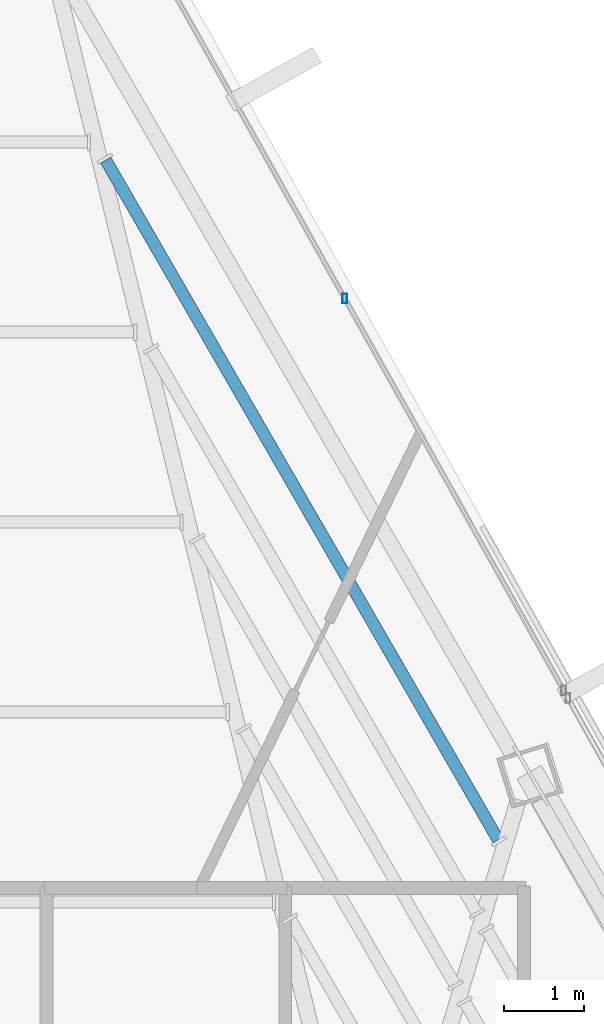
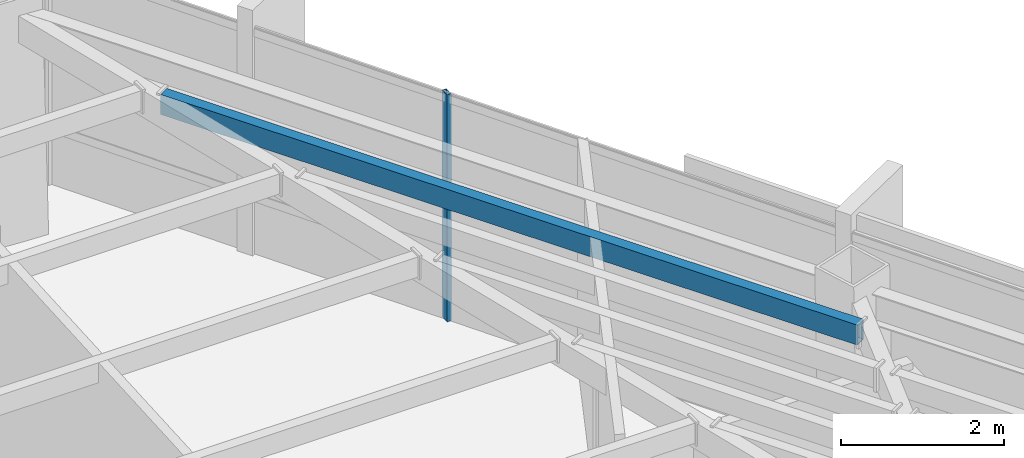
# One storey, part 37 of 48: 1 beam, 1 member, 1 element without a shape of its own.
"""IFC4 building model written with IfcOpenShell, lengths in metres."""

from ifc_helpers import new_model, si_unit, direction, frame, origin, origin_2d, place, context, subcontext, project, spatial, hollow_rectangle, extrude, source, transform, mapped, material, material_profile, profile_set, type_object, type_shapes, element, aggregate, save


model = new_model("IFC4")

# Units and contexts
model_context = context("Model", 3, precision=1e-05, world=origin(), true_north=direction((0.0, 1.0)))
body_context = subcontext(model_context, "Body", "Model", "MODEL_VIEW")
ifc_project = project(units=[si_unit("LENGTHUNIT", "METRE"), si_unit("AREAUNIT", "SQUARE_METRE"), si_unit("VOLUMEUNIT", "CUBIC_METRE"), si_unit("PLANEANGLEUNIT", "RADIAN"), si_unit("MASSUNIT", "GRAM", prefix="KILO")], contexts=[model_context])

# Site, building, storey
site_placement = place(None, origin())
site = spatial("IfcSite", under=ifc_project, at=site_placement, CompositionType="ELEMENT")
building_placement = place(site_placement, origin())
building = spatial("IfcBuilding", under=site, at=building_placement, Name="Caelisora Broadcast Tower", CompositionType="ELEMENT")
storey_placement = place(building_placement, frame((0.0, 0.0, 270.0)))
storey = spatial("IfcBuildingStorey", under=building, at=storey_placement, Name="L71", CompositionType="ELEMENT", Elevation=270.0)

# Beam
ifc_material_1 = material(Name="Steel Grade 350 (AS/NZS 1163 C350L0)", Category="steel")
ifc_material_profile_1 = material_profile(ifc_material_1, hollow_rectangle(XDim=0.14990234375, YDim=0.300048828125, WallThickness=0.010009765625, at=origin_2d()), Name="Steel Grade 350 (AS/NZS 1163 C350L0)")
ifc_profile_set_1 = profile_set([ifc_material_profile_1], Name="Steel Grade 350 (AS/NZS 1163 C350L0)")
beam_type = type_object("IfcBeamType", Name="SB05", PredefinedType="JOIST", material=ifc_profile_set_1)
shared_shape_1 = source(origin(), body_context, "Body", "SweptSolid", [
    extrude(hollow_rectangle(XDim=0.14990234375, YDim=0.300048828125, WallThickness=0.010009765625, at=origin_2d()), origin(), (0.0, 0.0, 1.0), 9.860595703125),
])
type_shapes(beam_type, [shared_shape_1])
beam_placement = place(storey_placement, frame((47.0751953125, 35.5537109375, 3.25), z_axis=(-0.499989643469, 0.866031383048, 0.0), x_axis=(-0.866031383048, -0.499989643469, 0.0)))
element("IfcBeam", 1, at=beam_placement, inside=storey, type_object=beam_type, Name="L71 beam SB05", PredefinedType="JOIST", context=body_context, shape_type="MappedRepresentation", body=[
    mapped(shared_shape_1, transform((0.0, 0.0, 0.0), scale=1.0)),
])

# Curtain wall, member
ifc_material_2 = material(Name="Unitised Aluminium and Low-E Glass Curtain Wall", Category="glass")
curtain_wall_type = type_object("IfcCurtainWallType", Name="CW-Z5", PredefinedType="NOTDEFINED", material=ifc_material_2)
curtain_wall_placement = place(storey_placement, origin())
curtain_wall = element("IfcCurtainWall", 2, at=curtain_wall_placement, inside=storey, type_object=curtain_wall_type, Name="L71 curtain wall CW-Z5", PredefinedType="NOTDEFINED")
ifc_material_3 = material(Name="Aluminium 6063-T6 Anodised Terracotta Bronze", Category="aluminium")
ifc_material_profile_2 = material_profile(ifc_material_3, hollow_rectangle(XDim=0.06005859375, YDim=0.1201171875, WallThickness=0.0029296875, at=origin_2d()), Name="Aluminium 6063-T6 Anodised Terracotta Bronze")
ifc_profile_set_2 = profile_set([ifc_material_profile_2], Name="Aluminium 6063-T6 Anodised Terracotta Bronze")
member_type = type_object("IfcMemberType", Name="CWM-04", PredefinedType="MULLION", material=ifc_profile_set_2)
shared_shape_2 = source(origin(), body_context, "Body", "SweptSolid", [
    extrude(hollow_rectangle(XDim=0.06005859375, YDim=0.1201171875, WallThickness=0.0029296875, at=origin_2d()), origin(), (0.0, 0.0, 1.0), 3.39990234375),
])
type_shapes(member_type, [shared_shape_2])
member_placement = place(storey_placement, frame((45.148193359375, 42.3544921875, 0.0), z_axis=(0.0, 0.0, 1.0), x_axis=(1.0, 0.0, 0.0)))
member = element("IfcMember", 3, at=member_placement, type_object=member_type, Name="L71-CW-B01 mullion #2", PredefinedType="MULLION", context=body_context, shape_type="MappedRepresentation", body=[
    mapped(shared_shape_2, transform((0.0, 0.0, 0.0), scale=1.0)),
])
aggregate(curtain_wall, [member])

save(model, "model.ifc")
